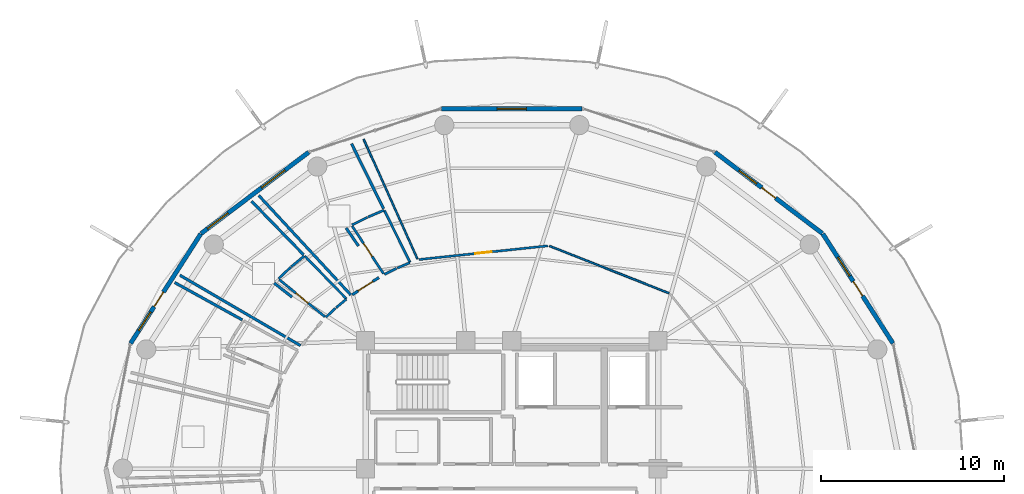
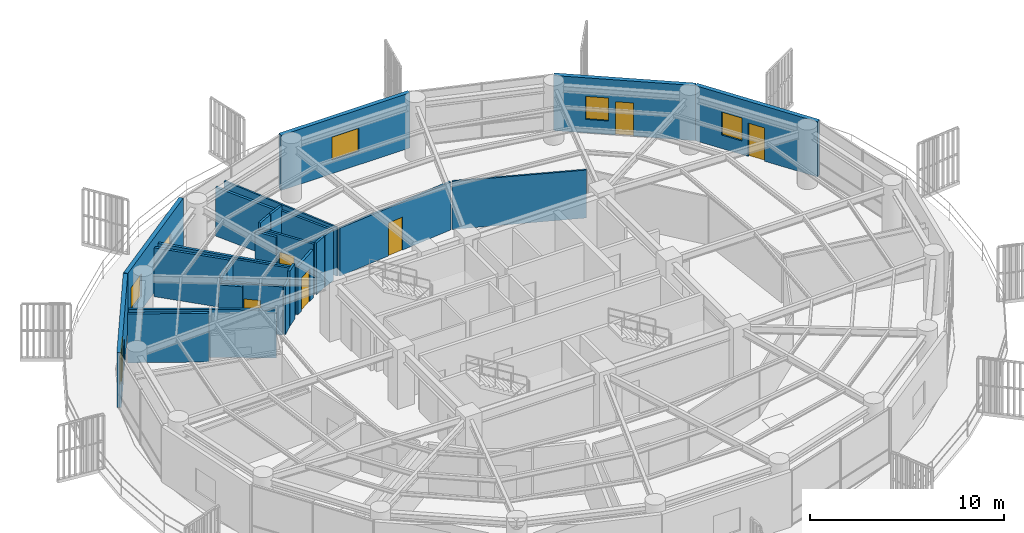
# One storey, part 26 of 31: 28 walls, 7 doors, 6 windows, 13 openings.
"""IFC4 building model written with IfcOpenShell, lengths in metres."""

import ifcopenshell
import ifcopenshell.guid

model = None  # the IFC model being written
_history = None  # IfcOwnerHistory: only IFC2X3 demands one
_inside = {}  # id of a spatial element -> (the spatial element, [elements in it])
_under = {}  # id of a project, library or spatial element -> (it, [spatial elements below it])
_declared = {}  # id of a project -> (the project, [libraries it declares])
_typed = {}  # id of a type object -> (the type object, [elements of that type])
_made_of = {}  # id of a material, layer set ... -> (it, [elements and type objects made of it])


def new_model(schema):
    """Start an empty IFC model of exactly this schema.

    Asked for "IFC4X3", IfcOpenShell would pick the latest addendum, in which some entities
    have other attributes; the version numbers below select the first issue.
    IFC2X3 requires an IfcOwnerHistory on every rooted entity: one is made here for all.
    """
    global model, _history
    if schema == "IFC4X3":
        model = ifcopenshell.file(schema_version=(4, 3, 0, 0))
    else:
        model = ifcopenshell.file(schema=schema)
    _inside.clear()
    _under.clear()
    _declared.clear()
    _typed.clear()
    _made_of.clear()
    _history = None
    if model.schema == "IFC2X3":
        org = make("IfcOrganization", Name="unknown")
        user = make(
            "IfcPersonAndOrganization",
            ThePerson=make("IfcPerson", FamilyName="unknown"),
            TheOrganization=org,
        )
        app = make(
            "IfcApplication",
            ApplicationDeveloper=org,
            Version="unknown",
            ApplicationFullName="unknown",
            ApplicationIdentifier="unknown",
        )
        _history = make(
            "IfcOwnerHistory",
            OwningUser=user,
            OwningApplication=app,
            ChangeAction="ADDED",
            CreationDate=0,
        )
    return model


def make(cls, **values):
    """One entity of the class cls with the attributes given. An attribute that is None is left unset."""
    return model.create_entity(
        cls, **{name: value for name, value in values.items() if value is not None}
    )


def rooted(cls, **values):
    """An entity with a GlobalId (a new one), such as an element, a storey or a relation."""
    return make(cls, GlobalId=ifcopenshell.guid.new(), OwnerHistory=_history, **values)


def si_unit(unit_type, name, prefix=None):
    """IfcSIUnit, for example si_unit("LENGTHUNIT", "METRE", prefix="MILLI")."""
    return make("IfcSIUnit", UnitType=unit_type, Prefix=prefix, Name=name)


def assignment(units):
    """IfcUnitAssignment: the units of a project."""
    return None if units is None else make("IfcUnitAssignment", Units=units)


def point(xyz):
    """IfcCartesianPoint."""
    return None if xyz is None else make("IfcCartesianPoint", Coordinates=xyz)


def direction(xyz):
    """IfcDirection."""
    return None if xyz is None else make("IfcDirection", DirectionRatios=xyz)


def frame(location, z_axis=None, x_axis=None):
    """IfcAxis2Placement3D, a coordinate frame: its origin and axes. An axis left out is left unset."""
    return make(
        "IfcAxis2Placement3D",
        Location=point(location),
        Axis=direction(z_axis),
        RefDirection=direction(x_axis),
    )


def frame_2d(location, x_axis=None):
    """IfcAxis2Placement2D, a coordinate frame in the plane: its origin and x axis."""
    return make(
        "IfcAxis2Placement2D", Location=point(location), RefDirection=direction(x_axis)
    )


def origin():
    """The frame at (0, 0, 0) with its axes left unset."""
    return frame((0.0, 0.0, 0.0))


def place(relative_to, where):
    """IfcLocalPlacement: puts the frame where relative to a parent placement (None: the world)."""
    return make(
        "IfcLocalPlacement", PlacementRelTo=relative_to, RelativePlacement=where
    )


def context(
    kind, dimensions, precision=None, world=None, true_north=None, identifier=None
):
    """IfcGeometricRepresentationContext, for example the 3D "Model" context."""
    return make(
        "IfcGeometricRepresentationContext",
        ContextIdentifier=identifier,
        ContextType=kind,
        CoordinateSpaceDimension=dimensions,
        Precision=precision,
        WorldCoordinateSystem=world,
        TrueNorth=true_north,
    )


def subcontext(parent, identifier, kind, view, scale=None):
    """IfcGeometricRepresentationSubContext, for example "Body" below "Model"."""
    return make(
        "IfcGeometricRepresentationSubContext",
        ContextIdentifier=identifier,
        ContextType=kind,
        ParentContext=parent,
        TargetScale=scale,
        TargetView=view,
    )


def project(units=None, contexts=None):
    """IfcProject with its units and contexts."""
    return rooted(
        "IfcProject",
        Name="project",
        RepresentationContexts=contexts,
        UnitsInContext=assignment(units),
    )


def spatial(cls, under=None, at=None, **own):
    """A site, building, storey or space (cls), placed at a placement, below another one or the project."""
    s = rooted(cls, ObjectPlacement=at, **own)
    if under is not None:
        _under.setdefault(under.id(), (under, []))[1].append(s)
    return s


def profile(cls, at=None, kind="AREA", **sizes):
    """A parametric profile (cls). Its sizes go by their IFC names, for example OverallWidth=200.0."""
    return make(cls, ProfileType=kind, Position=at, **sizes)


def rectangle(**sizes):
    """IfcRectangleProfileDef."""
    return profile("IfcRectangleProfileDef", **sizes)


def extrude(swept, where, along, depth):
    """IfcExtrudedAreaSolid: the profile swept, set in the frame where, extruded along a direction by depth."""
    return make(
        "IfcExtrudedAreaSolid",
        SweptArea=swept,
        Position=where,
        ExtrudedDirection=direction(along),
        Depth=depth,
    )


def shape(context_of_items, identifier, shape_type, items):
    """IfcShapeRepresentation: the items that make up one representation, for example the "Body"."""
    return make(
        "IfcShapeRepresentation",
        ContextOfItems=context_of_items,
        RepresentationIdentifier=identifier,
        RepresentationType=shape_type,
        Items=items,
    )


def material(Name=None, Category=None):
    """IfcMaterial."""
    return make("IfcMaterial", Name=Name, Category=Category)


def layer(
    of_material, thickness, ventilated=None, Name=None, Category=None, Priority=None
):
    """IfcMaterialLayer: one layer of a wall or slab, of a material (None: an air gap)."""
    return make(
        "IfcMaterialLayer",
        Material=of_material,
        LayerThickness=thickness,
        IsVentilated=ventilated,
        Name=Name,
        Category=Category,
        Priority=Priority,
    )


def layer_set(layers, Name=None):
    """IfcMaterialLayerSet."""
    return make("IfcMaterialLayerSet", MaterialLayers=layers, LayerSetName=Name)


def made_of(thing, what):
    """Note that an element or type object is made of a material, layer set ...; save() writes the relation."""
    if what is not None:
        _made_of.setdefault(what.id(), (what, []))[1].append(thing)
    return thing


def type_object(cls, material=None, **own):
    """A type object (cls), such as IfcWallType, which elements share."""
    return made_of(rooted(cls, **own), material)


def element(
    cls,
    number,
    at=None,
    inside=None,
    cuts=None,
    type_object=None,
    material=None,
    context=None,
    identifier="Body",
    shape_type=None,
    held_by="IfcProductDefinitionShape",
    body=None,
    shapes=None,
    **own,
):
    """One element of the class cls, such as IfcWall. Its Tag is "e" and its number.

    at: its placement. inside: the storey or other place that contains it. cuts: it is an
    opening in that element (IfcRelVoidsElement). A single representation is given by context,
    identifier, shape_type and body (its items); several are given by shapes. held_by: the class
    of the entity that holds the representations. save() writes the other relations.
    """
    e = rooted(cls, Tag="e%d" % number, ObjectPlacement=at, **own)
    if body is not None:
        shapes = [shape(context, identifier, shape_type, body)]
    if shapes is not None:
        e.Representation = make(held_by, Representations=shapes)
    if inside is not None:
        _inside.setdefault(inside.id(), (inside, []))[1].append(e)
    if cuts is not None:
        rooted(
            "IfcRelVoidsElement", RelatingBuildingElement=cuts, RelatedOpeningElement=e
        )
    if type_object is not None:
        _typed.setdefault(type_object.id(), (type_object, []))[1].append(e)
    return made_of(e, material)


def fill(opening, filler):
    """IfcRelFillsElement: the door or window that sits in an opening."""
    return rooted(
        "IfcRelFillsElement",
        RelatingOpeningElement=opening,
        RelatedBuildingElement=filler,
    )


def aggregate(whole, parts):
    """IfcRelAggregates: a whole, such as a stair, and the parts it consists of."""
    return rooted("IfcRelAggregates", RelatingObject=whole, RelatedObjects=parts)


def save(model, path):
    """Write the relations noted so far, then the file.

    IfcRelAggregates (storeys below a building ...), IfcRelContainedInSpatialStructure (elements
    in a storey), IfcRelDefinesByType, IfcRelAssociatesMaterial and IfcRelDeclares: one each for
    every whole, place, type object, material and project.
    """
    for whole, parts in _under.values():
        aggregate(whole, parts)
    for where, things in _inside.values():
        rooted(
            "IfcRelContainedInSpatialStructure",
            RelatedElements=things,
            RelatingStructure=where,
        )
    for kind, things in _typed.values():
        rooted("IfcRelDefinesByType", RelatedObjects=things, RelatingType=kind)
    for what, things in _made_of.values():
        rooted("IfcRelAssociatesMaterial", RelatedObjects=things, RelatingMaterial=what)
    for by, libraries in _declared.values():
        rooted("IfcRelDeclares", RelatingContext=by, RelatedDefinitions=libraries)
    model.write(path)


model = new_model("IFC4")

# Units and contexts
model_context = context("Model", 3, precision=1e-05, world=origin(), true_north=direction((0.0, 1.0)))
body_context = subcontext(model_context, "Body", "Model", "MODEL_VIEW")
ifc_project = project(units=[si_unit("LENGTHUNIT", "METRE"), si_unit("AREAUNIT", "SQUARE_METRE"), si_unit("VOLUMEUNIT", "CUBIC_METRE"), si_unit("PLANEANGLEUNIT", "RADIAN"), si_unit("MASSUNIT", "GRAM", prefix="KILO")], contexts=[model_context])

# Site, building, storey
site_placement = place(None, origin())
site = spatial("IfcSite", under=ifc_project, at=site_placement, CompositionType="ELEMENT")
building_placement = place(site_placement, origin())
building = spatial("IfcBuilding", under=site, at=building_placement, Name="Kelanora Arch Commons", CompositionType="ELEMENT")
storey_placement = place(building_placement, frame((0.0, 0.0, 226.949951171875)))
storey = spatial("IfcBuildingStorey", under=building, at=storey_placement, Name="L58", CompositionType="ELEMENT", Elevation=226.949951171875)

# Wall, opening, door
ifc_material_1 = material(Name="Autoclaved aerated concrete blockwork with fire plaster", Category="masonry")
ifc_layer_1 = layer(ifc_material_1, 0.14990234375)
ifc_layer_set_1 = layer_set([ifc_layer_1], Name="Autoclaved aerated concrete blockwork with fire plaster")
wall_type_1 = type_object("IfcWallType", Name="W-COMP-150", PredefinedType="PARTITIONING", material=ifc_layer_set_1)
wall_1_placement = place(storey_placement, frame((66.728515625, 68.454345703125, 0.0), z_axis=(0.0, 0.0, 1.0), x_axis=(-0.839995400075, -0.542593519915, 0.0)))
wall_1 = element("IfcWall", 1, at=wall_1_placement, inside=storey, type_object=wall_type_1, Name="Cluster Bedroom L58-01 Entry Partition", PredefinedType="PARTITIONING", context=body_context, shape_type="SweptSolid", body=[
    extrude(rectangle(XDim=1.739501953125, YDim=0.14990234375, at=frame_2d((0.86962890625, 0.0))), origin(), (0.0, 0.0, 1.0), 3.025146484375),
])
opening_1_placement = place(wall_1_placement, frame((0.39501953125, 0.0, 0.0)))
opening_1 = element("IfcOpeningElement", 2, at=opening_1_placement, cuts=wall_1, Name="Opening D-CLU1", PredefinedType="OPENING", context=body_context, shape_type="SweptSolid", body=[
    extrude(rectangle(XDim=0.949951171875, YDim=2.080078125, at=frame_2d((0.47509765625, 1.0400390625))), frame((0.0, 0.0849609375, 0.0), z_axis=(0.0, -1.0, 0.0), x_axis=(1.0, 0.0, 0.0)), (0.0, 0.0, 1.0), 0.169921875),
])
ifc_material_2 = material(Name="Solid-core acoustic timber cluster entry fire door", Category="wood")
door_type_1 = type_object("IfcDoorType", Name="D-CLU-95", OperationType="NOTDEFINED", PredefinedType="DOOR", material=ifc_material_2)
door_1_placement = place(opening_1_placement, origin())
door_1 = element("IfcDoor", 3, at=door_1_placement, inside=storey, type_object=door_type_1, Name="Cluster Bedroom L58-01 Door", OperationType="SINGLE_SWING_LEFT", OverallHeight=2.080078125, OverallWidth=0.949951171875, PredefinedType="DOOR", context=body_context, shape_type="SweptSolid", body=[
    extrude(rectangle(XDim=0.949951171875, YDim=2.080078125, at=frame_2d((0.47509765625, 1.0400390625))), frame((0.0, 0.02490234375, 0.0), z_axis=(0.0, -1.0, 0.0), x_axis=(1.0, 0.0, 0.0)), (0.0, 0.0, 1.0), 0.050048828125),
])
fill(opening_1, door_1)

# Walls
wall_2_placement = place(storey_placement, frame((65.189697265625, 67.50732421875, 0.0), z_axis=(0.0, 0.0, 1.0), x_axis=(-0.679184519722, 0.733967566157, 0.0)))
element("IfcWall", 4, at=wall_2_placement, inside=storey, type_object=wall_type_1, Name="Cluster Bedroom L58-01 Enclosure Partition 2", PredefinedType="PARTITIONING", context=body_context, shape_type="SweptSolid", body=[
    extrude(rectangle(XDim=7.40673828125, YDim=0.14990234375, at=frame_2d((3.703369140625, 0.0))), origin(), (0.0, 0.0, 1.0), 3.025146484375),
])
wall_3_placement = place(storey_placement, frame((65.234619140625, 75.774169921875, 0.0), z_axis=(0.0, 0.0, 1.0), x_axis=(0.441884590329, -0.897071908394, 0.0)))
element("IfcWall", 5, at=wall_3_placement, inside=storey, type_object=wall_type_1, Name="Cluster Bedroom L58-01 Enclosure Partition 5", PredefinedType="PARTITIONING", context=body_context, shape_type="SweptSolid", body=[
    extrude(rectangle(XDim=3.964111328125, YDim=0.14990234375, at=frame_2d((1.98193359375, 0.0))), origin(), (0.0, 0.0, 1.0), 3.074951171875),
])
wall_4_placement = place(storey_placement, frame((64.940673828125, 71.159912109375, 0.0), z_axis=(0.0, 0.0, 1.0), x_axis=(0.566694618131, -0.823927915403, 0.0)))
element("IfcWall", 6, at=wall_4_placement, inside=storey, type_object=wall_type_1, Name="Cluster Bedroom L58-01 Enclosure Partition 7", PredefinedType="PARTITIONING", context=body_context, shape_type="SweptSolid", body=[
    extrude(rectangle(XDim=1.187255859375, YDim=0.14990234375, at=frame_2d((0.59375, 0.0))), origin(), (0.0, 0.0, 1.0), 3.175048828125),
])
wall_5_placement = place(storey_placement, frame((62.4462890625, 64.729248046875, 0.0), z_axis=(0.0, 0.0, 1.0), x_axis=(-0.863764995437, 0.503894862703, 0.0)))
element("IfcWall", 7, at=wall_5_placement, inside=storey, type_object=wall_type_1, Name="Cluster Bedroom L58-02 Enclosure Partition 2", PredefinedType="PARTITIONING", context=body_context, shape_type="SweptSolid", body=[
    extrude(rectangle(XDim=7.6416015625, YDim=0.14990234375, at=frame_2d((3.82080078125, 0.0))), origin(), (0.0, 0.0, 1.0), 3.025146484375),
])
wall_6_placement = place(storey_placement, frame((59.7568359375, 72.63623046875, 0.0), z_axis=(0.0, 0.0, 1.0), x_axis=(0.696968329913, -0.717101908447, 0.0)))
element("IfcWall", 8, at=wall_6_placement, inside=storey, type_object=wall_type_1, Name="Cluster Bedroom L58-02 Enclosure Partition 5", PredefinedType="PARTITIONING", context=body_context, shape_type="SweptSolid", body=[
    extrude(rectangle(XDim=4.08642578125, YDim=0.14990234375, at=frame_2d((2.043212890625, 0.0))), origin(), (0.0, 0.0, 1.0), 3.074951171875),
])
wall_7_placement = place(storey_placement, frame((60.99951171875, 68.15234375, 0.0), z_axis=(0.0, 0.0, 1.0), x_axis=(0.787890342656, -0.615815563257, 0.0)))
element("IfcWall", 9, at=wall_7_placement, inside=storey, type_object=wall_type_1, Name="Cluster Bedroom L58-02 Enclosure Partition 7", PredefinedType="PARTITIONING", context=body_context, shape_type="SweptSolid", body=[
    extrude(rectangle(XDim=1.242919921875, YDim=0.14990234375, at=frame_2d((0.62158203125, 0.0))), origin(), (0.0, 0.0, 1.0), 3.025146484375),
])
wall_8_placement = place(storey_placement, frame((55.56298828125, 68.1787109375, 0.0), z_axis=(0.0, 0.0, 1.0), x_axis=(0.875174419458, -0.483807539757, 0.0)))
element("IfcWall", 10, at=wall_8_placement, inside=storey, type_object=wall_type_1, Name="Cluster Bedroom L58-03 Enclosure Partition 5", PredefinedType="PARTITIONING", context=body_context, shape_type="SweptSolid", body=[
    extrude(rectangle(XDim=4.215087890625, YDim=0.14990234375, at=frame_2d((2.107421875, 0.0))), origin(), (0.0, 0.0, 1.0), 3.074951171875),
])

# Wall, openings, door, window
ifc_material_3 = material(Name="Precast concrete C40/50 upper-zone terracotta rainscreen", Category="masonry")
ifc_layer_2 = layer(ifc_material_3, 0.239990234375)
ifc_layer_set_2 = layer_set([ifc_layer_2], Name="Precast concrete C40/50 upper-zone terracotta rainscreen")
wall_type_2 = type_object("IfcWallType", Name="W-EXT-TC2", PredefinedType="SOLIDWALL", material=ifc_layer_set_2)
wall_9_placement = place(storey_placement, frame((94.85302734375, 64.85302734375, 0.0), z_axis=(0.0, 0.0, 1.0), x_axis=(-0.539539512973, 0.841960280501, 0.0)))
wall_9 = element("IfcWall", 11, at=wall_9_placement, inside=storey, type_object=wall_type_2, Name="Terracotta Exterior Wall L58-B01", PredefinedType="SOLIDWALL", context=body_context, shape_type="SweptSolid", body=[
    extrude(rectangle(XDim=7.11474609375, YDim=0.239990234375, at=frame_2d((3.557373046875, 0.0))), origin(), (0.0, 0.0, 1.0), 3.47509765625),
])
opening_2_placement = place(wall_9_placement, frame((3.08203125, 0.0, 0.0)))
opening_2 = element("IfcOpeningElement", 12, at=opening_2_placement, cuts=wall_9, Name="Opening DB-01", PredefinedType="OPENING", context=body_context, shape_type="SweptSolid", body=[
    extrude(rectangle(XDim=0.949951171875, YDim=2.10009765625, at=frame_2d((0.47509765625, 1.050048828125))), frame((0.0, 0.1298828125, 0.0), z_axis=(0.0, -1.0, 0.0), x_axis=(1.0, 0.0, 0.0)), (0.0, 0.0, 1.0), 0.260009765625),
])
opening_3_placement = place(wall_9_placement, frame((4.382080078125, 0.0, 0.85009765625)))
opening_3 = element("IfcOpeningElement", 13, at=opening_3_placement, cuts=wall_9, Name="Opening WN-02", PredefinedType="OPENING", context=body_context, shape_type="SweptSolid", body=[
    extrude(rectangle(XDim=1.199951171875, YDim=1.449951171875, at=frame_2d((0.60009765625, 0.72509765625))), frame((0.0, 0.1298828125, 0.0), z_axis=(0.0, -1.0, 0.0), x_axis=(1.0, 0.0, 0.0)), (0.0, 0.0, 1.0), 0.260009765625),
])
ifc_material_4 = material(Name="Terracotta-aluminium thermally broken glazed balcony door", Category="masonry")
door_type_2 = type_object("IfcDoorType", Name="D-BAL-10", OperationType="NOTDEFINED", PredefinedType="DOOR", material=ifc_material_4)
door_2_placement = place(opening_2_placement, frame((0.949951171875, 0.0, 0.0), z_axis=(0.0, 0.0, 1.0), x_axis=(-1.0, 0.0, 0.0)))
door_2 = element("IfcDoor", 14, at=door_2_placement, inside=storey, type_object=door_type_2, Name="Wave Balcony Door L58-B01", OperationType="SINGLE_SWING_RIGHT", OverallHeight=2.10009765625, OverallWidth=0.949951171875, PredefinedType="DOOR", context=body_context, shape_type="SweptSolid", body=[
    extrude(rectangle(XDim=0.949951171875, YDim=2.10009765625, at=frame_2d((0.47509765625, 1.050048828125))), frame((0.0, 0.02490234375, 0.0), z_axis=(0.0, -1.0, 0.0), x_axis=(1.0, 0.0, 0.0)), (0.0, 0.0, 1.0), 0.050048828125),
])
fill(opening_2, door_2)
ifc_material_5 = material(Name="Terracotta-anodised aluminium frame with operable awning sash", Category="masonry")
window_type_1 = type_object("IfcWindowType", Name="WIN-CL-12", PartitioningType="SINGLE_PANEL", PredefinedType="WINDOW", material=ifc_material_5)
window_1_placement = place(opening_3_placement, origin())
window_1 = element("IfcWindow", 15, at=window_1_placement, inside=storey, type_object=window_type_1, Name="Co-Living Operable Window L58-B01", OverallHeight=1.449951171875, OverallWidth=1.199951171875, PartitioningType="SINGLE_PANEL", PredefinedType="WINDOW", context=body_context, shape_type="SweptSolid", body=[
    extrude(rectangle(XDim=1.199951171875, YDim=1.449951171875, at=frame_2d((0.60009765625, 0.72509765625))), frame((0.0, 0.030029296875, 0.0), z_axis=(0.0, -1.0, 0.0), x_axis=(1.0, 0.0, 0.0)), (0.0, 0.0, 1.0), 0.06005859375),
])
fill(opening_3, window_1)

wall_10_placement = place(storey_placement, frame((90.994140625, 70.86474609375, 0.0), z_axis=(0.0, 0.0, 1.0), x_axis=(-0.797701674595, 0.603052268338, 0.0)))
wall_10 = element("IfcWall", 16, at=wall_10_placement, inside=storey, type_object=wall_type_2, Name="Terracotta Exterior Wall L58-B02", PredefinedType="SOLIDWALL", context=body_context, shape_type="SweptSolid", body=[
    extrude(rectangle(XDim=7.373779296875, YDim=0.239990234375, at=frame_2d((3.68701171875, 0.0))), origin(), (0.0, 0.0, 1.0), 3.47509765625),
])
opening_4_placement = place(wall_10_placement, frame((3.2119140625, 0.0, 0.0)))
opening_4 = element("IfcOpeningElement", 17, at=opening_4_placement, cuts=wall_10, Name="Opening DB-01", PredefinedType="OPENING", context=body_context, shape_type="SweptSolid", body=[
    extrude(rectangle(XDim=0.949951171875, YDim=2.10009765625, at=frame_2d((0.47509765625, 1.050048828125))), frame((0.0, 0.1298828125, 0.0), z_axis=(0.0, -1.0, 0.0), x_axis=(1.0, 0.0, 0.0)), (0.0, 0.0, 1.0), 0.260009765625),
])
opening_5_placement = place(wall_10_placement, frame((4.511962890625, 0.0, 0.85009765625)))
opening_5 = element("IfcOpeningElement", 18, at=opening_5_placement, cuts=wall_10, Name="Opening WN-02", PredefinedType="OPENING", context=body_context, shape_type="SweptSolid", body=[
    extrude(rectangle(XDim=1.199951171875, YDim=1.449951171875, at=frame_2d((0.60009765625, 0.72509765625))), frame((0.0, 0.1298828125, 0.0), z_axis=(0.0, -1.0, 0.0), x_axis=(1.0, 0.0, 0.0)), (0.0, 0.0, 1.0), 0.260009765625),
])
door_3_placement = place(opening_4_placement, frame((0.949951171875, 0.0, 0.0), z_axis=(0.0, 0.0, 1.0), x_axis=(-1.0, 0.0, 0.0)))
door_3 = element("IfcDoor", 19, at=door_3_placement, inside=storey, type_object=door_type_2, Name="Wave Balcony Door L58-B02", OperationType="SINGLE_SWING_LEFT", OverallHeight=2.10009765625, OverallWidth=0.949951171875, PredefinedType="DOOR", context=body_context, shape_type="SweptSolid", body=[
    extrude(rectangle(XDim=0.949951171875, YDim=2.10009765625, at=frame_2d((0.47509765625, 1.050048828125))), frame((0.0, 0.02490234375, 0.0), z_axis=(0.0, -1.0, 0.0), x_axis=(1.0, 0.0, 0.0)), (0.0, 0.0, 1.0), 0.050048828125),
])
fill(opening_4, door_3)
window_2_placement = place(opening_5_placement, origin())
window_2 = element("IfcWindow", 20, at=window_2_placement, inside=storey, type_object=window_type_1, Name="Co-Living Operable Window L58-B02", OverallHeight=1.449951171875, OverallWidth=1.199951171875, PartitioningType="SINGLE_PANEL", PredefinedType="WINDOW", context=body_context, shape_type="SweptSolid", body=[
    extrude(rectangle(XDim=1.199951171875, YDim=1.449951171875, at=frame_2d((0.60009765625, 0.72509765625))), frame((0.0, 0.030029296875, 0.0), z_axis=(0.0, -1.0, 0.0), x_axis=(1.0, 0.0, 0.0)), (0.0, 0.0, 1.0), 0.06005859375),
])
fill(opening_5, window_2)

# Wall, opening, window
wall_11_placement = place(storey_placement, frame((77.840087890625, 77.6962890625, 0.0), z_axis=(0.0, 0.0, 1.0), x_axis=(-1.0, 0.0, 0.0)))
wall_11 = element("IfcWall", 21, at=wall_11_placement, inside=storey, type_object=wall_type_2, Name="Terracotta Exterior Wall L58-B04", PredefinedType="SOLIDWALL", context=body_context, shape_type="SweptSolid", body=[
    extrude(rectangle(XDim=7.68017578125, YDim=0.239990234375, at=frame_2d((3.840087890625, 0.0))), origin(), (0.0, 0.0, 1.0), 3.47509765625),
])
opening_6_placement = place(wall_11_placement, frame((3.0400390625, 0.0, 0.85009765625)))
opening_6 = element("IfcOpeningElement", 22, at=opening_6_placement, cuts=wall_11, Name="Opening WN-01", PredefinedType="OPENING", context=body_context, shape_type="SweptSolid", body=[
    extrude(rectangle(XDim=1.60009765625, YDim=1.449951171875, at=frame_2d((0.800048828125, 0.72509765625))), frame((0.0, 0.1298828125, 0.0), z_axis=(0.0, -1.0, 0.0), x_axis=(1.0, 0.0, 0.0)), (0.0, 0.0, 1.0), 0.260009765625),
])
ifc_material_6 = material(Name="Terracotta-anodised aluminium frame with operable low-E glazing", Category="masonry")
window_type_2 = type_object("IfcWindowType", Name="WIN-CL-18", PartitioningType="DOUBLE_PANEL_VERTICAL", PredefinedType="WINDOW", material=ifc_material_6)
window_3_placement = place(opening_6_placement, origin())
window_3 = element("IfcWindow", 23, at=window_3_placement, inside=storey, type_object=window_type_2, Name="Co-Living Operable Window L58-B04", OverallHeight=1.449951171875, OverallWidth=1.60009765625, PartitioningType="SINGLE_PANEL", PredefinedType="WINDOW", context=body_context, shape_type="SweptSolid", body=[
    extrude(rectangle(XDim=1.60009765625, YDim=1.449951171875, at=frame_2d((0.800048828125, 0.72509765625))), frame((0.0, 0.030029296875, 0.0), z_axis=(0.0, -1.0, 0.0), x_axis=(1.0, 0.0, 0.0)), (0.0, 0.0, 1.0), 0.06005859375),
])
fill(opening_6, window_3)

# Wall, openings, windows
wall_12_placement = place(storey_placement, frame((62.887939453125, 75.3115234375, 0.0), z_axis=(0.0, 0.0, 1.0), x_axis=(-0.797701674595, -0.603052268338, 0.0)))
wall_12 = element("IfcWall", 24, at=wall_12_placement, inside=storey, type_object=wall_type_2, Name="Terracotta Exterior Wall L58-B06", PredefinedType="SOLIDWALL", context=body_context, shape_type="SweptSolid", body=[
    extrude(rectangle(XDim=7.373779296875, YDim=0.239990234375, at=frame_2d((3.68701171875, 0.0))), origin(), (0.0, 0.0, 1.0), 3.47509765625),
])
opening_7_placement = place(wall_12_placement, frame((1.626953125, 0.0, 0.85009765625)))
opening_7 = element("IfcOpeningElement", 25, at=opening_7_placement, cuts=wall_12, Name="Opening WN-01", PredefinedType="OPENING", context=body_context, shape_type="SweptSolid", body=[
    extrude(rectangle(XDim=1.60009765625, YDim=1.449951171875, at=frame_2d((0.800048828125, 0.72509765625))), frame((0.0, 0.1298828125, 0.0), z_axis=(0.0, -1.0, 0.0), x_axis=(1.0, 0.0, 0.0)), (0.0, 0.0, 1.0), 0.260009765625),
])
opening_8_placement = place(wall_12_placement, frame((5.528076171875, 0.0, 0.85009765625)))
opening_8 = element("IfcOpeningElement", 26, at=opening_8_placement, cuts=wall_12, Name="Opening WN-04", PredefinedType="OPENING", context=body_context, shape_type="SweptSolid", body=[
    extrude(rectangle(XDim=1.39990234375, YDim=1.449951171875, at=frame_2d((0.699951171875, 0.72509765625))), frame((0.0, 0.1298828125, 0.0), z_axis=(0.0, -1.0, 0.0), x_axis=(1.0, 0.0, 0.0)), (0.0, 0.0, 1.0), 0.260009765625),
])
window_type_3 = type_object("IfcWindowType", Name="WIN-CL-14", PartitioningType="DOUBLE_PANEL_VERTICAL", PredefinedType="WINDOW", material=ifc_material_6)
window_4_placement = place(opening_8_placement, origin())
window_4 = element("IfcWindow", 27, at=window_4_placement, inside=storey, type_object=window_type_3, Name="Co-Living Operable Window L58-B06-X2", OverallHeight=1.449951171875, OverallWidth=1.39990234375, PartitioningType="SINGLE_PANEL", PredefinedType="WINDOW", context=body_context, shape_type="SweptSolid", body=[
    extrude(rectangle(XDim=1.39990234375, YDim=1.449951171875, at=frame_2d((0.699951171875, 0.72509765625))), frame((0.0, 0.030029296875, 0.0), z_axis=(0.0, -1.0, 0.0), x_axis=(1.0, 0.0, 0.0)), (0.0, 0.0, 1.0), 0.06005859375),
])
fill(opening_8, window_4)
window_5_placement = place(opening_7_placement, origin())
window_5 = element("IfcWindow", 28, at=window_5_placement, inside=storey, type_object=window_type_2, Name="Co-Living Operable Window L58-B06", OverallHeight=1.449951171875, OverallWidth=1.60009765625, PartitioningType="SINGLE_PANEL", PredefinedType="WINDOW", context=body_context, shape_type="SweptSolid", body=[
    extrude(rectangle(XDim=1.60009765625, YDim=1.449951171875, at=frame_2d((0.800048828125, 0.72509765625))), frame((0.0, 0.030029296875, 0.0), z_axis=(0.0, -1.0, 0.0), x_axis=(1.0, 0.0, 0.0)), (0.0, 0.0, 1.0), 0.06005859375),
])
fill(opening_7, window_5)

# Wall, openings, door, window
wall_13_placement = place(storey_placement, frame((56.985595703125, 70.84326171875, 0.0), z_axis=(0.0, 0.0, 1.0), x_axis=(-0.539539512973, -0.841960280501, 0.0)))
wall_13 = element("IfcWall", 29, at=wall_13_placement, inside=storey, type_object=wall_type_2, Name="Terracotta Exterior Wall L58-B07", PredefinedType="SOLIDWALL", context=body_context, shape_type="SweptSolid", body=[
    extrude(rectangle(XDim=7.11474609375, YDim=0.239990234375, at=frame_2d((3.557373046875, 0.0))), origin(), (0.0, 0.0, 1.0), 3.47509765625),
])
opening_9_placement = place(wall_13_placement, frame((3.781982421875, 0.0, 0.0)))
opening_9 = element("IfcOpeningElement", 30, at=opening_9_placement, cuts=wall_13, Name="Opening DB-01", PredefinedType="OPENING", context=body_context, shape_type="SweptSolid", body=[
    extrude(rectangle(XDim=0.949951171875, YDim=2.10009765625, at=frame_2d((0.47509765625, 1.050048828125))), frame((0.0, 0.1298828125, 0.0), z_axis=(0.0, -1.0, 0.0), x_axis=(1.0, 0.0, 0.0)), (0.0, 0.0, 1.0), 0.260009765625),
])
opening_10_placement = place(wall_13_placement, frame((5.08203125, 0.0, 0.85009765625)))
opening_10 = element("IfcOpeningElement", 31, at=opening_10_placement, cuts=wall_13, Name="Opening WN-02", PredefinedType="OPENING", context=body_context, shape_type="SweptSolid", body=[
    extrude(rectangle(XDim=1.199951171875, YDim=1.449951171875, at=frame_2d((0.60009765625, 0.72509765625))), frame((0.0, 0.1298828125, 0.0), z_axis=(0.0, -1.0, 0.0), x_axis=(1.0, 0.0, 0.0)), (0.0, 0.0, 1.0), 0.260009765625),
])
door_4_placement = place(opening_9_placement, frame((0.949951171875, 0.0, 0.0), z_axis=(0.0, 0.0, 1.0), x_axis=(-1.0, 0.0, 0.0)))
door_4 = element("IfcDoor", 32, at=door_4_placement, inside=storey, type_object=door_type_2, Name="Wave Balcony Door L58-B07", OperationType="SINGLE_SWING_RIGHT", OverallHeight=2.10009765625, OverallWidth=0.949951171875, PredefinedType="DOOR", context=body_context, shape_type="SweptSolid", body=[
    extrude(rectangle(XDim=0.949951171875, YDim=2.10009765625, at=frame_2d((0.47509765625, 1.050048828125))), frame((0.0, 0.02490234375, 0.0), z_axis=(0.0, -1.0, 0.0), x_axis=(1.0, 0.0, 0.0)), (0.0, 0.0, 1.0), 0.050048828125),
])
fill(opening_9, door_4)
window_6_placement = place(opening_10_placement, origin())
window_6 = element("IfcWindow", 33, at=window_6_placement, inside=storey, type_object=window_type_1, Name="Co-Living Operable Window L58-B07", OverallHeight=1.449951171875, OverallWidth=1.199951171875, PartitioningType="SINGLE_PANEL", PredefinedType="WINDOW", context=body_context, shape_type="SweptSolid", body=[
    extrude(rectangle(XDim=1.199951171875, YDim=1.449951171875, at=frame_2d((0.60009765625, 0.72509765625))), frame((0.0, 0.030029296875, 0.0), z_axis=(0.0, -1.0, 0.0), x_axis=(1.0, 0.0, 0.0)), (0.0, 0.0, 1.0), 0.06005859375),
])
fill(opening_10, window_6)

# Walls
ifc_material_7 = material(Name="Lightweight fire-rated acoustic stud partition")
ifc_layer_3 = layer(ifc_material_7, 0.10009765625)
ifc_layer_set_3 = layer_set([ifc_layer_3], Name="Lightweight fire-rated acoustic stud partition")
wall_type_3 = type_object("IfcWallType", Name="W-PART-100", PredefinedType="PARTITIONING", material=ifc_layer_set_3)
wall_14_placement = place(storey_placement, frame((82.603759765625, 67.5966796875, 0.0), z_axis=(0.0, 0.0, 1.0), x_axis=(-0.930004069546, 0.367549222048, 0.0)))
element("IfcWall", 34, at=wall_14_placement, inside=storey, type_object=wall_type_3, Name="North-East Quiet Study Commons L58 Enclosure Partition 3", PredefinedType="PARTITIONING", context=body_context, shape_type="SweptSolid", body=[
    extrude(rectangle(XDim=7.029541015625, YDim=0.10009765625, at=frame_2d((3.5146484375, 0.0))), origin(), (0.0, 0.0, 1.0), 3.025146484375),
])
wall_15_placement = place(storey_placement, frame((68.840576171875, 69.468505859375, 0.0), z_axis=(0.0, 0.0, 1.0), x_axis=(-0.409724811959, 0.912209174732, 0.0)))
element("IfcWall", 35, at=wall_15_placement, inside=storey, type_object=wall_type_3, Name="North-East Quiet Study Commons L58 Enclosure Partition 5", PredefinedType="PARTITIONING", context=body_context, shape_type="SweptSolid", body=[
    extrude(rectangle(XDim=7.18798828125, YDim=0.10009765625, at=frame_2d((3.593994140625, 0.0))), origin(), (0.0, 0.0, 1.0), 3.074951171875),
])

# Wall, opening, door
ifc_material_8 = material(Name="Acoustic twin-stud fire-rated gypsum partition")
ifc_layer_4 = layer(ifc_material_8, 0.1201171875)
ifc_layer_set_4 = layer_set([ifc_layer_4], Name="Acoustic twin-stud fire-rated gypsum partition")
wall_type_4 = type_object("IfcWallType", Name="W-PART-120", PredefinedType="PARTITIONING", material=ifc_layer_set_4)
wall_16_placement = place(storey_placement, frame((75.96923828125, 70.188720703125, 0.0), z_axis=(0.0, 0.0, 1.0), x_axis=(-0.994385599796, -0.105817195755, 0.0)))
wall_16 = element("IfcWall", 36, at=wall_16_placement, inside=storey, type_object=wall_type_4, Name="North-East Quiet Study Commons L58 Entry Partition", PredefinedType="PARTITIONING", context=body_context, shape_type="SweptSolid", body=[
    extrude(rectangle(XDim=7.09228515625, YDim=0.1201171875, at=frame_2d((3.546142578125, 0.0))), origin(), (0.0, 0.0, 1.0), 3.025146484375),
])
opening_11_placement = place(wall_16_placement, frame((3.095947265625, 0.0, 0.0)))
opening_11 = element("IfcOpeningElement", 37, at=opening_11_placement, cuts=wall_16, Name="Opening D-RM1", PredefinedType="OPENING", context=body_context, shape_type="SweptSolid", body=[
    extrude(rectangle(XDim=0.89990234375, YDim=2.080078125, at=frame_2d((0.449951171875, 1.0400390625))), frame((0.0, 0.070068359375, 0.0), z_axis=(0.0, -1.0, 0.0), x_axis=(1.0, 0.0, 0.0)), (0.0, 0.0, 1.0), 0.14013671875),
])
ifc_material_9 = material(Name="Acoustic fire-rated timber study and lounge door", Category="wood")
door_type_3 = type_object("IfcDoorType", Name="D-ROOM-90", OperationType="NOTDEFINED", PredefinedType="DOOR", material=ifc_material_9)
door_5_placement = place(opening_11_placement, origin())
door_5 = element("IfcDoor", 38, at=door_5_placement, inside=storey, type_object=door_type_3, Name="North-East Quiet Study Commons L58 Door", OperationType="SINGLE_SWING_LEFT", OverallHeight=2.080078125, OverallWidth=0.89990234375, PredefinedType="DOOR", context=body_context, shape_type="SweptSolid", body=[
    extrude(rectangle(XDim=0.89990234375, YDim=2.080078125, at=frame_2d((0.449951171875, 1.0400390625))), frame((0.0, 0.02490234375, 0.0), z_axis=(0.0, -1.0, 0.0), x_axis=(1.0, 0.0, 0.0)), (0.0, 0.0, 1.0), 0.050048828125),
])
fill(opening_11, door_5)

ifc_material_10 = material(Name="Moisture-resistant fire-rated cement-board plumbing wall")
ifc_layer_5 = layer(ifc_material_10, 0.1298828125)
ifc_layer_set_5 = layer_set([ifc_layer_5], Name="Moisture-resistant fire-rated cement-board plumbing wall")
wall_type_5 = type_object("IfcWallType", Name="W-WET-120", PredefinedType="PLUMBINGWALL", material=ifc_layer_set_5)
wall_17_placement = place(storey_placement, frame((66.98193359375, 68.6650390625, 0.0), z_axis=(0.0, 0.0, 1.0), x_axis=(-0.549630881336, 0.835407621632, 0.0)))
wall_17 = element("IfcWall", 39, at=wall_17_placement, inside=storey, type_object=wall_type_5, Name="En-Suite Shower WC L58-01 Entry Partition", PredefinedType="PLUMBINGWALL", context=body_context, shape_type="SweptSolid", body=[
    extrude(rectangle(XDim=3.1181640625, YDim=0.1298828125, at=frame_2d((1.55908203125, 0.0))), origin(), (0.0, 0.0, 1.0), 3.175048828125),
])
opening_12_placement = place(wall_17_placement, frame((1.12890625, 0.0, 0.0)))
opening_12 = element("IfcOpeningElement", 40, at=opening_12_placement, cuts=wall_17, Name="Opening D-BT1", PredefinedType="OPENING", context=body_context, shape_type="SweptSolid", body=[
    extrude(rectangle(XDim=0.860107421875, YDim=2.050048828125, at=frame_2d((0.43017578125, 1.02490234375))), frame((0.0, 0.074951171875, 0.0), z_axis=(0.0, -1.0, 0.0), x_axis=(1.0, 0.0, 0.0)), (0.0, 0.0, 1.0), 0.14990234375),
])
ifc_material_11 = material(Name="Moisture-sealed fire-rated accessible bathroom door")
door_type_4 = type_object("IfcDoorType", Name="D-BATH-85", OperationType="NOTDEFINED", PredefinedType="DOOR", material=ifc_material_11)
door_6_placement = place(opening_12_placement, origin())
door_6 = element("IfcDoor", 41, at=door_6_placement, inside=storey, type_object=door_type_4, Name="En-Suite Shower WC L58-01 Door", OperationType="SINGLE_SWING_RIGHT", OverallHeight=2.050048828125, OverallWidth=0.860107421875, PredefinedType="DOOR", context=body_context, shape_type="SweptSolid", body=[
    extrude(rectangle(XDim=0.860107421875, YDim=2.050048828125, at=frame_2d((0.43017578125, 1.02490234375))), frame((0.0, 0.02490234375, 0.0), z_axis=(0.0, -1.0, 0.0), x_axis=(1.0, 0.0, 0.0)), (0.0, 0.0, 1.0), 0.050048828125),
])
fill(opening_12, door_6)

wall_18_placement = place(storey_placement, frame((63.7744140625, 66.312744140625, 0.0), z_axis=(0.0, 0.0, 1.0), x_axis=(-0.775898386577, 0.630857902945, 0.0)))
wall_18 = element("IfcWall", 42, at=wall_18_placement, inside=storey, type_object=wall_type_5, Name="En-Suite Shower WC L58-02 Entry Partition", PredefinedType="PLUMBINGWALL", context=body_context, shape_type="SweptSolid", body=[
    extrude(rectangle(XDim=3.2216796875, YDim=0.1298828125, at=frame_2d((1.61083984375, 0.0))), origin(), (0.0, 0.0, 1.0), 3.025146484375),
])
opening_13_placement = place(wall_18_placement, frame((1.180908203125, 0.0, 0.0)))
opening_13 = element("IfcOpeningElement", 43, at=opening_13_placement, cuts=wall_18, Name="Opening D-BT1", PredefinedType="OPENING", context=body_context, shape_type="SweptSolid", body=[
    extrude(rectangle(XDim=0.860107421875, YDim=2.050048828125, at=frame_2d((0.43017578125, 1.02490234375))), frame((0.0, 0.074951171875, 0.0), z_axis=(0.0, -1.0, 0.0), x_axis=(1.0, 0.0, 0.0)), (0.0, 0.0, 1.0), 0.14990234375),
])
door_7_placement = place(opening_13_placement, origin())
door_7 = element("IfcDoor", 44, at=door_7_placement, inside=storey, type_object=door_type_4, Name="En-Suite Shower WC L58-02 Door", OperationType="SINGLE_SWING_RIGHT", OverallHeight=2.050048828125, OverallWidth=0.860107421875, PredefinedType="DOOR", context=body_context, shape_type="SweptSolid", body=[
    extrude(rectangle(XDim=0.860107421875, YDim=2.050048828125, at=frame_2d((0.43017578125, 1.02490234375))), frame((0.0, 0.02490234375, 0.0), z_axis=(0.0, -1.0, 0.0), x_axis=(1.0, 0.0, 0.0)), (0.0, 0.0, 1.0), 0.050048828125),
])
fill(opening_13, door_7)

# Walls
wall_19_placement = place(storey_placement, frame((68.418701171875, 69.26513671875, 0.0), z_axis=(0.0, 0.0, 1.0), x_axis=(-0.918907807653, -0.394472357756, 0.0)))
element("IfcWall", 45, at=wall_19_placement, inside=storey, type_object=wall_type_5, Name="En-Suite Shower WC L58-01 Enclosure Partition 1", PredefinedType="PLUMBINGWALL", context=body_context, shape_type="SweptSolid", body=[
    extrude(rectangle(XDim=0.745849609375, YDim=0.1298828125, at=frame_2d((0.373046875, 0.0))), origin(), (0.0, 0.0, 1.0), 3.235107421875),
])
wall_20_placement = place(storey_placement, frame((67.697021484375, 68.9541015625, 0.0), z_axis=(0.0, 0.0, 1.0), x_axis=(-0.895346972175, -0.445369284321, 0.0)))
element("IfcWall", 46, at=wall_20_placement, inside=storey, type_object=wall_type_5, Name="En-Suite Shower WC L58-01 Enclosure Partition 2", PredefinedType="PLUMBINGWALL", context=body_context, shape_type="SweptSolid", body=[
    extrude(rectangle(XDim=0.74169921875, YDim=0.1298828125, at=frame_2d((0.370849609375, 0.0))), origin(), (0.0, 0.0, 1.0), 3.235107421875),
])
wall_21_placement = place(storey_placement, frame((65.2529296875, 71.328857421875, 0.0), z_axis=(0.0, 0.0, 1.0), x_axis=(0.895874963303, 0.444306257133, 0.0)))
element("IfcWall", 47, at=wall_21_placement, inside=storey, type_object=wall_type_5, Name="En-Suite Shower WC L58-01 Enclosure Partition 4", PredefinedType="PLUMBINGWALL", context=body_context, shape_type="SweptSolid", body=[
    extrude(rectangle(XDim=0.941162109375, YDim=0.1298828125, at=frame_2d((0.470703125, 0.0))), origin(), (0.0, 0.0, 1.0), 3.47998046875),
])
wall_22_placement = place(storey_placement, frame((66.13232421875, 71.763916015625, 0.0), z_axis=(0.0, 0.0, 1.0), x_axis=(0.918877881794, 0.394542061573, 0.0)))
element("IfcWall", 48, at=wall_22_placement, inside=storey, type_object=wall_type_5, Name="En-Suite Shower WC L58-01 Enclosure Partition 5", PredefinedType="PLUMBINGWALL", context=body_context, shape_type="SweptSolid", body=[
    extrude(rectangle(XDim=0.946044921875, YDim=0.1298828125, at=frame_2d((0.47314453125, 0.0))), origin(), (0.0, 0.0, 1.0), 3.47998046875),
])
wall_23_placement = place(storey_placement, frame((67.02880859375, 72.127197265625, 0.0), z_axis=(0.0, 0.0, 1.0), x_axis=(0.442483009424, -0.896776887732, 0.0)))
element("IfcWall", 49, at=wall_23_placement, inside=storey, type_object=wall_type_5, Name="En-Suite Shower WC L58-01 Enclosure Partition 6", PredefinedType="PLUMBINGWALL", context=body_context, shape_type="SweptSolid", body=[
    extrude(rectangle(XDim=3.16259765625, YDim=0.1298828125, at=frame_2d((1.581298828125, 0.0))), origin(), (0.0, 0.0, 1.0), 3.175048828125),
])
wall_24_placement = place(storey_placement, frame((64.946533203125, 67.269287109375, 0.0), z_axis=(0.0, 0.0, 1.0), x_axis=(-0.768276565134, -0.640118051196, 0.0)))
element("IfcWall", 50, at=wall_24_placement, inside=storey, type_object=wall_type_5, Name="En-Suite Shower WC L58-02 Enclosure Partition 1", PredefinedType="PLUMBINGWALL", context=body_context, shape_type="SweptSolid", body=[
    extrude(rectangle(XDim=0.723876953125, YDim=0.1298828125, at=frame_2d((0.36181640625, 0.0))), origin(), (0.0, 0.0, 1.0), 3.47998046875),
])
wall_25_placement = place(storey_placement, frame((64.3603515625, 66.779296875, 0.0), z_axis=(0.0, 0.0, 1.0), x_axis=(-0.73050113357, -0.682911483175, 0.0)))
element("IfcWall", 51, at=wall_25_placement, inside=storey, type_object=wall_type_5, Name="En-Suite Shower WC L58-02 Enclosure Partition 2", PredefinedType="PLUMBINGWALL", context=body_context, shape_type="SweptSolid", body=[
    extrude(rectangle(XDim=0.71826171875, YDim=0.1298828125, at=frame_2d((0.359130859375, 0.0))), origin(), (0.0, 0.0, 1.0), 3.025146484375),
])
wall_26_placement = place(storey_placement, frame((61.24267578125, 68.396728515625, 0.0), z_axis=(0.0, 0.0, 1.0), x_axis=(0.729879325393, 0.683576016522, 0.0)))
element("IfcWall", 52, at=wall_26_placement, inside=storey, type_object=wall_type_5, Name="En-Suite Shower WC L58-02 Enclosure Partition 4", PredefinedType="PLUMBINGWALL", context=body_context, shape_type="SweptSolid", body=[
    extrude(rectangle(XDim=0.912109375, YDim=0.1298828125, at=frame_2d((0.4560546875, 0.0))), origin(), (0.0, 0.0, 1.0), 3.175048828125),
])
wall_27_placement = place(storey_placement, frame((61.9384765625, 69.046875, 0.0), z_axis=(0.0, 0.0, 1.0), x_axis=(0.768743942807, 0.639556682709, 0.0)))
element("IfcWall", 53, at=wall_27_placement, inside=storey, type_object=wall_type_5, Name="En-Suite Shower WC L58-02 Enclosure Partition 5", PredefinedType="PLUMBINGWALL", context=body_context, shape_type="SweptSolid", body=[
    extrude(rectangle(XDim=0.91845703125, YDim=0.1298828125, at=frame_2d((0.459228515625, 0.0))), origin(), (0.0, 0.0, 1.0), 3.175048828125),
])
wall_28_placement = place(storey_placement, frame((62.673828125, 69.6328125, 0.0), z_axis=(0.0, 0.0, 1.0), x_axis=(0.697495291355, -0.716589365353, 0.0)))
element("IfcWall", 54, at=wall_28_placement, inside=storey, type_object=wall_type_5, Name="En-Suite Shower WC L58-02 Enclosure Partition 6", PredefinedType="PLUMBINGWALL", context=body_context, shape_type="SweptSolid", body=[
    extrude(rectangle(XDim=3.260498046875, YDim=0.1298828125, at=frame_2d((1.63037109375, 0.0))), origin(), (0.0, 0.0, 1.0), 3.175048828125),
])

save(model, "model.ifc")
